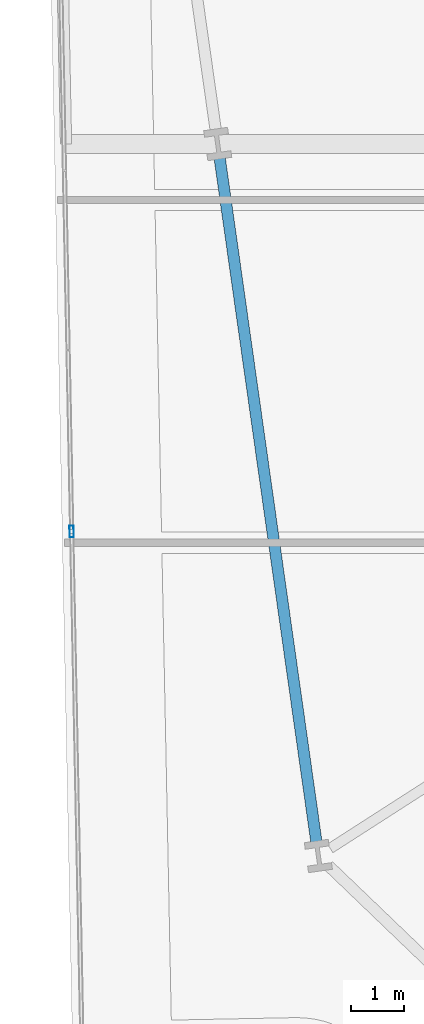
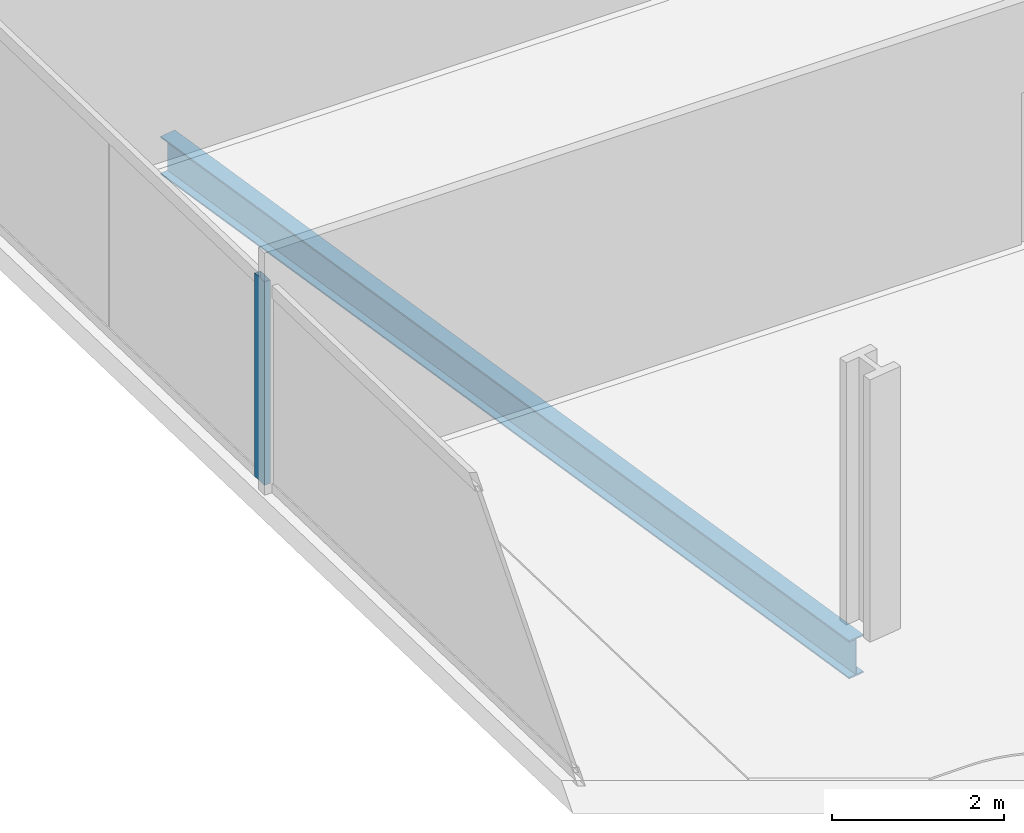
# One storey, part 4 of 35: 1 beam, 1 member, 1 element without a shape of its own.
"""IFC4 building model written with IfcOpenShell, lengths in metres."""

from ifc_helpers import new_model, si_unit, direction, frame, origin, origin_2d, place, context, subcontext, project, spatial, hollow_rectangle, i_section, extrude, material, material_profile, profile_set, type_object, element, aggregate, save


model = new_model("IFC4")

# Units and contexts
model_context = context("Model", 3, precision=1e-05, world=origin(), true_north=direction((0.0, 1.0)))
body_context = subcontext(model_context, "Body", "Model", "MODEL_VIEW")
ifc_project = project(units=[si_unit("LENGTHUNIT", "METRE"), si_unit("AREAUNIT", "SQUARE_METRE"), si_unit("VOLUMEUNIT", "CUBIC_METRE"), si_unit("PLANEANGLEUNIT", "RADIAN"), si_unit("MASSUNIT", "GRAM", prefix="KILO")], contexts=[model_context])

# Site, building, storey
site_placement = place(None, origin())
site = spatial("IfcSite", under=ifc_project, at=site_placement, CompositionType="ELEMENT")
building_placement = place(site_placement, origin())
building = spatial("IfcBuilding", under=site, at=building_placement, Name="Haldenkirk Collegiate Tower", CompositionType="ELEMENT")
storey_placement = place(building_placement, frame((0.0, 0.0, 32.699951171875)))
storey = spatial("IfcBuildingStorey", under=building, at=storey_placement, Name="L06", CompositionType="ELEMENT", Elevation=32.699951171875)

# Beam
ifc_material_1 = material(Name="Steel ASTM A992 Grade 50", Category="steel")
ifc_material_profile_1 = material_profile(ifc_material_1, i_section(OverallWidth=0.2119140625, OverallDepth=0.5439453125, WebThickness=0.01318359375, FlangeThickness=0.021240234375, at=origin_2d()), Name="W21X83")
ifc_profile_set_1 = profile_set([ifc_material_profile_1], Name="Steel ASTM A992 Grade 50")
beam_type = type_object("IfcBeamType", Name="BM-SPANDREL-W21X83", PredefinedType="SPANDREL", material=ifc_profile_set_1)
beam_placement = place(storey_placement, frame((12.16455078125, 22.791015625, -0.58203125), z_axis=(0.140043508171, -0.990145350855, 0.0), x_axis=(0.990145350855, 0.140043508171, 0.0)))
element("IfcBeam", 1, at=beam_placement, inside=storey, type_object=beam_type, Name="L06 perimeter spandrel beam 15", PredefinedType="SPANDREL", context=body_context, shape_type="SweptSolid", body=[
    extrude(i_section(OverallWidth=0.2119140625, OverallDepth=0.5439453125, WebThickness=0.01318359375, FlangeThickness=0.021240234375, at=origin_2d()), origin(), (0.0, 0.0, 1.0), 13.0),
])

# Curtain wall, member
ifc_material_2 = material(Name="Anodised architectural bronze aluminium", Category="aluminium")
curtain_wall_type = type_object("IfcCurtainWallType", Name="CW-SYS1-CONVEX-LOW", PredefinedType="USERDEFINED", material=ifc_material_2)
curtain_wall_placement = place(storey_placement, origin())
curtain_wall = element("IfcCurtainWall", 2, at=curtain_wall_placement, inside=storey, type_object=curtain_wall_type, Name="L06 Lower tower convex bronze-framed unitised curtain wall", ObjectType="UNITISED CURTAIN WALL", PredefinedType="USERDEFINED")
ifc_material_profile_2 = material_profile(ifc_material_2, hollow_rectangle(XDim=0.080078125, YDim=0.219970703125, WallThickness=0.0048828125, at=origin_2d()), Name="CW-MUL-1A")
ifc_profile_set_2 = profile_set([ifc_material_profile_2], Name="Anodised architectural bronze aluminium")
member_type = type_object("IfcMemberType", Name="CW-MUL-1A", PredefinedType="MULLION", material=ifc_profile_set_2)
member_placement = place(storey_placement, frame((9.380126953125, 15.763671875, 0.0), z_axis=(0.0, 0.0, 1.0), x_axis=(-0.999798604983, -0.020068619127, 0.0)))
member = element("IfcMember", 3, at=member_placement, type_object=member_type, Name="CW-1A mullion 2", PredefinedType="MULLION", context=body_context, shape_type="SweptSolid", body=[
    extrude(hollow_rectangle(XDim=0.080078125, YDim=0.219970703125, WallThickness=0.0048828125, at=origin_2d()), origin(), (0.0, 0.0, 1.0), 2.89111328125),
])
aggregate(curtain_wall, [member])

save(model, "model.ifc")
